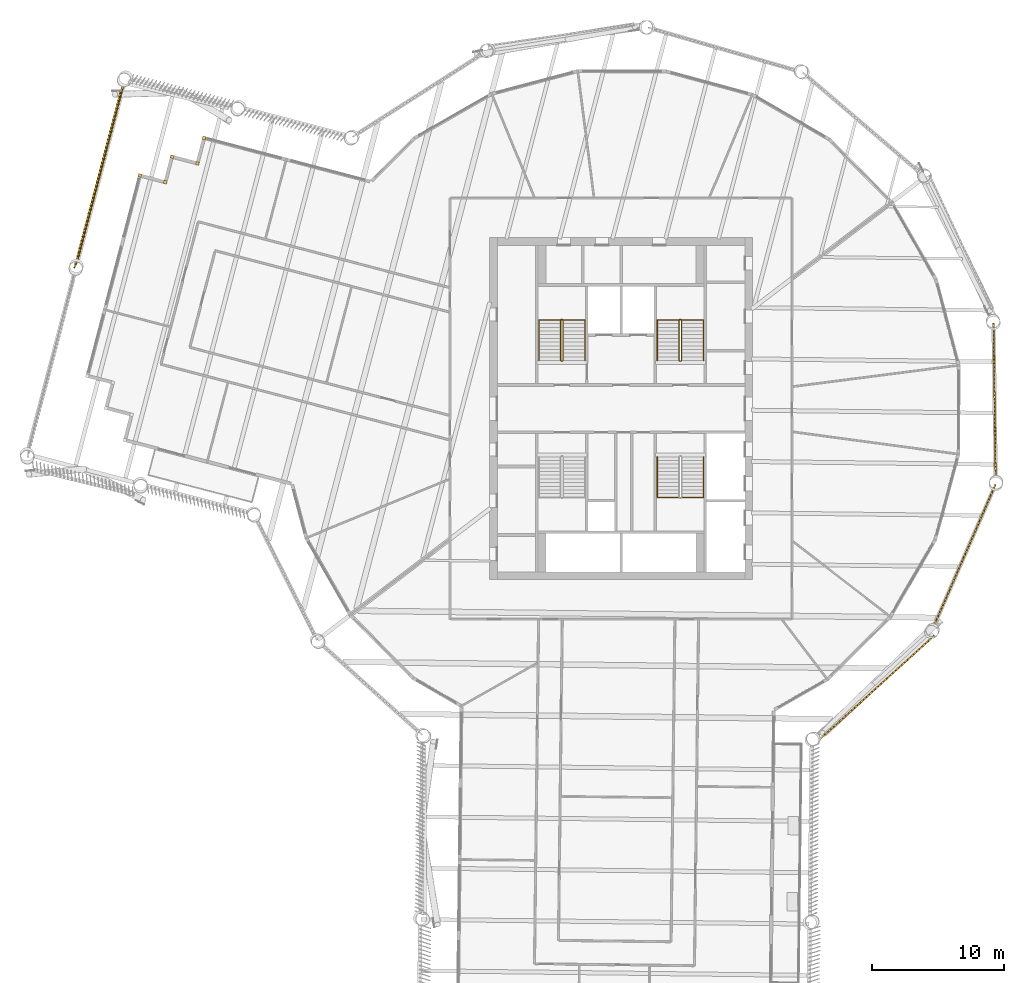
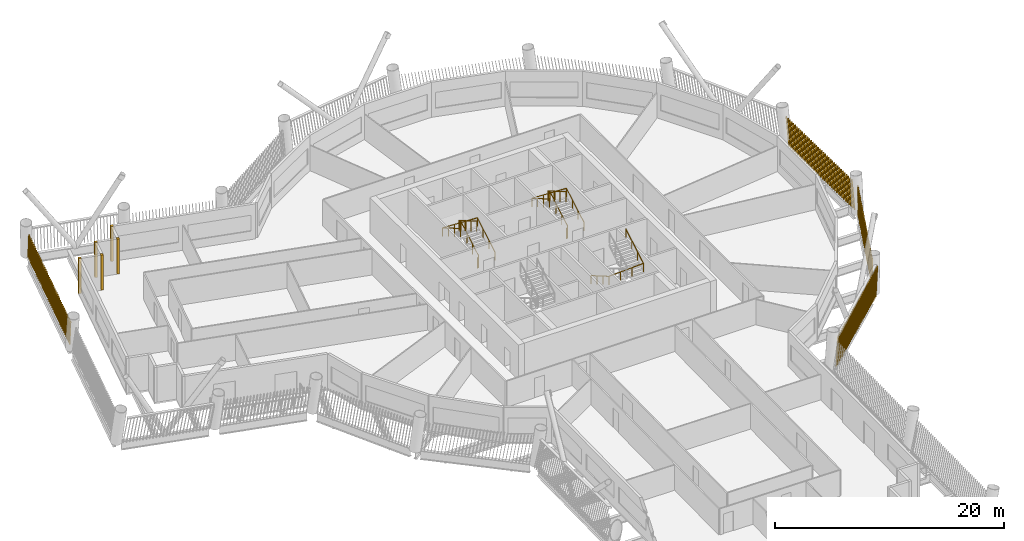
# One storey, part 19 of 21: 9 shading devices, 5 railings.
"""IFC4 building model written with IfcOpenShell, lengths in metres."""

from ifc_helpers import new_model, si_unit, direction, frame, frame_2d, origin, origin_2d, place, context, subcontext, project, spatial, rectangle, circle, composite_profile, extrude, material, type_object, element, save


model = new_model("IFC4")

# Units and contexts
model_context = context("Model", 3, precision=1e-05, world=origin(), true_north=direction((0.0, 1.0)))
body_context = subcontext(model_context, "Body", "Model", "MODEL_VIEW")
ifc_project = project(units=[si_unit("LENGTHUNIT", "METRE"), si_unit("AREAUNIT", "SQUARE_METRE"), si_unit("VOLUMEUNIT", "CUBIC_METRE"), si_unit("PLANEANGLEUNIT", "RADIAN"), si_unit("MASSUNIT", "GRAM", prefix="KILO")], contexts=[model_context])

# Site, building, storey
site_placement = place(None, origin())
site = spatial("IfcSite", under=ifc_project, at=site_placement, CompositionType="ELEMENT")
building_placement = place(site_placement, origin())
building = spatial("IfcBuilding", under=site, at=building_placement, Name="Tarsis Ring Headquarters", CompositionType="ELEMENT")
storey_placement = place(building_placement, frame((0.0, 0.0, 223.800048828125)))
storey = spatial("IfcBuildingStorey", under=building, at=storey_placement, Name="L52", CompositionType="ELEMENT", Elevation=223.800048828125)

# Railings
ifc_material_1 = material(Name="Steel S355", Category="steel")
railing_type_1 = type_object("IfcRailingType", Name="Core stair guard 1100", PredefinedType="GUARDRAIL", material=ifc_material_1)
railing_1_placement = place(storey_placement, frame((-4.5400390625, 3.610107421875, 0.0)))
element("IfcRailing", 1, at=railing_1_placement, inside=storey, type_object=railing_type_1, Name="L52 ST1 stair guard 1", PredefinedType="GUARDRAIL", context=body_context, shape_type="SweptSolid", body=[
    extrude(circle(Radius=0.02392578125, at=origin_2d()), frame((0.0, 0.0, 1.076171875), z_axis=(1.0, 0.0, 0.0), x_axis=(0.0, 1.0, 0.0)), (0.0, 0.0, 1.0), 0.080078125),
    extrude(circle(Radius=0.02392578125, at=origin_2d()), frame((0.080078125, 0.0, 1.076171875), z_axis=(0.282693820306, 0.281314826061, 0.917031173188), x_axis=(-0.705375805398, 0.708833529934, 0.0)), (0.0, 0.0, 1.0), 0.177001953125),
    extrude(circle(Radius=0.02392578125, at=origin_2d()), frame((0.130126953125, 0.0498046875, 1.23828125), z_axis=(0.0, 0.864890721111, 0.501960198159), x_axis=(-1.0, 0.0, 0.0)), (0.0, 0.0, 1.0), 3.561279296875),
    extrude(circle(Radius=0.02392578125, at=origin_2d()), frame((0.130126953125, 3.1298828125, 3.02587890625), z_axis=(-0.707106781187, 0.707106781187, 0.0), x_axis=(-0.707106781187, -0.707106781187, 0.0)), (0.0, 0.0, 1.0), 0.07080078125),
    extrude(circle(Radius=0.02392578125, at=origin_2d()), frame((0.080078125, 3.179931640625, 3.02587890625), z_axis=(-1.0, 0.0, 0.0), x_axis=(0.0, -1.0, 0.0)), (0.0, 0.0, 1.0), 0.080078125),
    extrude(circle(Radius=0.02392578125, at=origin_2d()), frame((0.0, 3.179931640625, 3.02587890625), z_axis=(-0.282227285176, -0.282227285176, 0.916894497205), x_axis=(0.707106781187, -0.707106781187, 0.0)), (0.0, 0.0, 1.0), 0.17724609375),
    extrude(circle(Radius=0.02392578125, at=origin_2d()), frame((-0.050048828125, 3.1298828125, 3.1884765625), z_axis=(0.0, -0.864920483161, 0.501908913857), x_axis=(1.0, 0.0, 0.0)), (0.0, 0.0, 1.0), 3.56103515625),
    extrude(circle(Radius=0.02099609375, at=origin_2d()), origin(), (0.0, 0.0, 1.0), 1.052001953125),
    extrude(circle(Radius=0.02099609375, at=origin_2d()), frame((0.080078125, 0.0, 0.0)), (0.0, 0.0, 1.0), 1.052001953125),
    extrude(circle(Radius=0.02099609375, at=origin_2d()), frame((0.130126953125, 0.0498046875, 0.162353515625)), (0.0, 0.0, 1.0), 1.052001953125),
    extrude(circle(Radius=0.02099609375, at=origin_2d()), frame((0.130126953125, 1.076416015625, 0.75830078125)), (0.0, 0.0, 1.0), 1.052001953125),
    extrude(circle(Radius=0.02099609375, at=origin_2d()), frame((0.130126953125, 2.103271484375, 1.35400390625)), (0.0, 0.0, 1.0), 1.052001953125),
    extrude(circle(Radius=0.02099609375, at=origin_2d()), frame((0.130126953125, 3.1298828125, 1.949951171875)), (0.0, 0.0, 1.0), 1.052001953125),
    extrude(circle(Radius=0.02099609375, at=origin_2d()), frame((0.080078125, 3.179931640625, 1.949951171875)), (0.0, 0.0, 1.0), 1.052001953125),
    extrude(circle(Radius=0.02099609375, at=origin_2d()), frame((0.0, 3.179931640625, 1.949951171875)), (0.0, 0.0, 1.0), 1.052001953125),
    extrude(circle(Radius=0.02099609375, at=origin_2d()), frame((-0.050048828125, 3.1298828125, 2.112548828125)), (0.0, 0.0, 1.0), 1.052001953125),
    extrude(circle(Radius=0.02099609375, at=origin_2d()), frame((-0.050048828125, 2.103271484375, 2.708251953125)), (0.0, 0.0, 1.0), 1.052001953125),
    extrude(circle(Radius=0.02099609375, at=origin_2d()), frame((-0.050048828125, 1.076416015625, 3.30419921875)), (0.0, 0.0, 1.0), 1.052001953125),
    extrude(circle(Radius=0.02099609375, at=origin_2d()), frame((-0.050048828125, 0.0498046875, 3.89990234375)), (0.0, 0.0, 1.0), 1.052001953125),
])
railing_2_placement = place(storey_placement, frame((4.4599609375, 3.610107421875, 0.0)))
element("IfcRailing", 2, at=railing_2_placement, inside=storey, type_object=railing_type_1, Name="L52 ST2 stair guard 1", PredefinedType="GUARDRAIL", context=body_context, shape_type="SweptSolid", body=[
    extrude(circle(Radius=0.02392578125, at=origin_2d()), frame((0.0, 0.0, 1.076171875), z_axis=(1.0, 0.0, 0.0), x_axis=(0.0, 1.0, 0.0)), (0.0, 0.0, 1.0), 0.080078125),
    extrude(circle(Radius=0.02392578125, at=origin_2d()), frame((0.080078125, 0.0, 1.076171875), z_axis=(0.282693820306, 0.281314826061, 0.917031173188), x_axis=(-0.705375805398, 0.708833529934, 0.0)), (0.0, 0.0, 1.0), 0.177001953125),
    extrude(circle(Radius=0.02392578125, at=origin_2d()), frame((0.130126953125, 0.0498046875, 1.23828125), z_axis=(0.0, 0.864890721111, 0.501960198159), x_axis=(-1.0, 0.0, 0.0)), (0.0, 0.0, 1.0), 3.561279296875),
    extrude(circle(Radius=0.02392578125, at=origin_2d()), frame((0.130126953125, 3.1298828125, 3.02587890625), z_axis=(-0.707106781187, 0.707106781187, 0.0), x_axis=(-0.707106781187, -0.707106781187, 0.0)), (0.0, 0.0, 1.0), 0.07080078125),
    extrude(circle(Radius=0.02392578125, at=origin_2d()), frame((0.080078125, 3.179931640625, 3.02587890625), z_axis=(-1.0, 0.0, 0.0), x_axis=(0.0, -1.0, 0.0)), (0.0, 0.0, 1.0), 0.080078125),
    extrude(circle(Radius=0.02392578125, at=origin_2d()), frame((0.0, 3.179931640625, 3.02587890625), z_axis=(-0.282227285176, -0.282227285176, 0.916894497205), x_axis=(0.707106781187, -0.707106781187, 0.0)), (0.0, 0.0, 1.0), 0.17724609375),
    extrude(circle(Radius=0.02392578125, at=origin_2d()), frame((-0.050048828125, 3.1298828125, 3.1884765625), z_axis=(0.0, -0.864920483161, 0.501908913857), x_axis=(1.0, 0.0, 0.0)), (0.0, 0.0, 1.0), 3.56103515625),
    extrude(circle(Radius=0.02099609375, at=origin_2d()), origin(), (0.0, 0.0, 1.0), 1.052001953125),
    extrude(circle(Radius=0.02099609375, at=origin_2d()), frame((0.080078125, 0.0, 0.0)), (0.0, 0.0, 1.0), 1.052001953125),
    extrude(circle(Radius=0.02099609375, at=origin_2d()), frame((0.130126953125, 0.0498046875, 0.162353515625)), (0.0, 0.0, 1.0), 1.052001953125),
    extrude(circle(Radius=0.02099609375, at=origin_2d()), frame((0.130126953125, 1.076416015625, 0.75830078125)), (0.0, 0.0, 1.0), 1.052001953125),
    extrude(circle(Radius=0.02099609375, at=origin_2d()), frame((0.130126953125, 2.103271484375, 1.35400390625)), (0.0, 0.0, 1.0), 1.052001953125),
    extrude(circle(Radius=0.02099609375, at=origin_2d()), frame((0.130126953125, 3.1298828125, 1.949951171875)), (0.0, 0.0, 1.0), 1.052001953125),
    extrude(circle(Radius=0.02099609375, at=origin_2d()), frame((0.080078125, 3.179931640625, 1.949951171875)), (0.0, 0.0, 1.0), 1.052001953125),
    extrude(circle(Radius=0.02099609375, at=origin_2d()), frame((0.0, 3.179931640625, 1.949951171875)), (0.0, 0.0, 1.0), 1.052001953125),
    extrude(circle(Radius=0.02099609375, at=origin_2d()), frame((-0.050048828125, 3.1298828125, 2.112548828125)), (0.0, 0.0, 1.0), 1.052001953125),
    extrude(circle(Radius=0.02099609375, at=origin_2d()), frame((-0.050048828125, 2.103271484375, 2.708251953125)), (0.0, 0.0, 1.0), 1.052001953125),
    extrude(circle(Radius=0.02099609375, at=origin_2d()), frame((-0.050048828125, 1.076416015625, 3.30419921875)), (0.0, 0.0, 1.0), 1.052001953125),
    extrude(circle(Radius=0.02099609375, at=origin_2d()), frame((-0.050048828125, 0.0498046875, 3.89990234375)), (0.0, 0.0, 1.0), 1.052001953125),
])
railing_type_2 = type_object("IfcRailingType", Name="Core stair handrail 900", PredefinedType="HANDRAIL", material=ifc_material_1)
railing_3_placement = place(storey_placement, frame((-2.75, 3.659912109375, 0.162353515625)))
element("IfcRailing", 3, at=railing_3_placement, inside=storey, type_object=railing_type_2, Name="L52 ST1 stair handrail 1", PredefinedType="HANDRAIL", context=body_context, shape_type="SweptSolid", body=[
    extrude(circle(Radius=0.02392578125, at=origin_2d()), frame((0.0, 0.0, 0.8759765625), z_axis=(0.0, 0.864890721111, 0.501960198159), x_axis=(-1.0, 0.0, 0.0)), (0.0, 0.0, 1.0), 3.561279296875),
    extrude(circle(Radius=0.02392578125, at=origin_2d()), frame((0.0, 3.080078125, 2.66357421875), z_axis=(-0.998922641604, 0.0, 0.046406422943), x_axis=(0.0, -1.0, 0.0)), (0.0, 0.0, 1.0), 3.503662109375),
    extrude(circle(Radius=0.02392578125, at=origin_2d()), frame((-3.5, 3.080078125, 2.826171875), z_axis=(0.0, -0.864920483161, 0.501908913857), x_axis=(1.0, 0.0, 0.0)), (0.0, 0.0, 1.0), 3.56103515625),
    extrude(circle(Radius=0.02099609375, at=origin_2d()), origin(), (0.0, 0.0, 1.0), 0.851806640625),
    extrude(circle(Radius=0.02099609375, at=origin_2d()), frame((0.0, 1.026611328125, 0.595947265625)), (0.0, 0.0, 1.0), 0.851806640625),
    extrude(circle(Radius=0.02099609375, at=origin_2d()), frame((0.0, 2.053466796875, 1.191650390625)), (0.0, 0.0, 1.0), 0.851806640625),
    extrude(circle(Radius=0.02099609375, at=origin_2d()), frame((0.0, 3.080078125, 1.78759765625)), (0.0, 0.0, 1.0), 0.851806640625),
    extrude(circle(Radius=0.02099609375, at=origin_2d()), frame((-1.166748046875, 3.080078125, 1.841796875)), (0.0, 0.0, 1.0), 0.851806640625),
    extrude(circle(Radius=0.02099609375, at=origin_2d()), frame((-2.333251953125, 3.080078125, 1.89599609375)), (0.0, 0.0, 1.0), 0.851806640625),
    extrude(circle(Radius=0.02099609375, at=origin_2d()), frame((-3.5, 3.080078125, 1.9501953125)), (0.0, 0.0, 1.0), 0.851806640625),
    extrude(circle(Radius=0.02099609375, at=origin_2d()), frame((-3.5, 2.053466796875, 2.5458984375)), (0.0, 0.0, 1.0), 0.851806640625),
    extrude(circle(Radius=0.02099609375, at=origin_2d()), frame((-3.5, 1.026611328125, 3.141845703125)), (0.0, 0.0, 1.0), 0.851806640625),
    extrude(circle(Radius=0.02099609375, at=origin_2d()), frame((-3.5, 0.0, 3.737548828125)), (0.0, 0.0, 1.0), 0.851806640625),
])
railing_4_placement = place(storey_placement, frame((6.25, 3.659912109375, 0.162353515625)))
element("IfcRailing", 4, at=railing_4_placement, inside=storey, type_object=railing_type_2, Name="L52 ST2 stair handrail 1", PredefinedType="HANDRAIL", context=body_context, shape_type="SweptSolid", body=[
    extrude(circle(Radius=0.02392578125, at=origin_2d()), frame((0.0, 0.0, 0.8759765625), z_axis=(0.0, 0.864890721111, 0.501960198159), x_axis=(-1.0, 0.0, 0.0)), (0.0, 0.0, 1.0), 3.561279296875),
    extrude(circle(Radius=0.02392578125, at=origin_2d()), frame((0.0, 3.080078125, 2.66357421875), z_axis=(-0.998922641604, 0.0, 0.046406422943), x_axis=(0.0, -1.0, 0.0)), (0.0, 0.0, 1.0), 3.503662109375),
    extrude(circle(Radius=0.02392578125, at=origin_2d()), frame((-3.5, 3.080078125, 2.826171875), z_axis=(0.0, -0.864920483161, 0.501908913857), x_axis=(1.0, 0.0, 0.0)), (0.0, 0.0, 1.0), 3.56103515625),
    extrude(circle(Radius=0.02099609375, at=origin_2d()), origin(), (0.0, 0.0, 1.0), 0.851806640625),
    extrude(circle(Radius=0.02099609375, at=origin_2d()), frame((0.0, 1.026611328125, 0.595947265625)), (0.0, 0.0, 1.0), 0.851806640625),
    extrude(circle(Radius=0.02099609375, at=origin_2d()), frame((0.0, 2.053466796875, 1.191650390625)), (0.0, 0.0, 1.0), 0.851806640625),
    extrude(circle(Radius=0.02099609375, at=origin_2d()), frame((0.0, 3.080078125, 1.78759765625)), (0.0, 0.0, 1.0), 0.851806640625),
    extrude(circle(Radius=0.02099609375, at=origin_2d()), frame((-1.166748046875, 3.080078125, 1.841796875)), (0.0, 0.0, 1.0), 0.851806640625),
    extrude(circle(Radius=0.02099609375, at=origin_2d()), frame((-2.333251953125, 3.080078125, 1.89599609375)), (0.0, 0.0, 1.0), 0.851806640625),
    extrude(circle(Radius=0.02099609375, at=origin_2d()), frame((-3.5, 3.080078125, 1.9501953125)), (0.0, 0.0, 1.0), 0.851806640625),
    extrude(circle(Radius=0.02099609375, at=origin_2d()), frame((-3.5, 2.053466796875, 2.5458984375)), (0.0, 0.0, 1.0), 0.851806640625),
    extrude(circle(Radius=0.02099609375, at=origin_2d()), frame((-3.5, 1.026611328125, 3.141845703125)), (0.0, 0.0, 1.0), 0.851806640625),
    extrude(circle(Radius=0.02099609375, at=origin_2d()), frame((-3.5, 0.0, 3.737548828125)), (0.0, 0.0, 1.0), 0.851806640625),
])
railing_5_placement = place(storey_placement, frame((2.75, -3.659912109375, 0.162353515625)))
element("IfcRailing", 5, at=railing_5_placement, inside=storey, type_object=railing_type_2, Name="L52 ST4 stair handrail 1", PredefinedType="HANDRAIL", context=body_context, shape_type="SweptSolid", body=[
    extrude(circle(Radius=0.02392578125, at=origin_2d()), frame((0.0, 0.0, 0.8759765625), z_axis=(0.0, -0.864890721111, 0.501960198159), x_axis=(1.0, 0.0, 0.0)), (0.0, 0.0, 1.0), 3.561279296875),
    extrude(circle(Radius=0.02392578125, at=origin_2d()), frame((0.0, -3.080078125, 2.66357421875), z_axis=(0.998922641604, 0.0, 0.046406422943), x_axis=(0.0, 1.0, 0.0)), (0.0, 0.0, 1.0), 3.503662109375),
    extrude(circle(Radius=0.02392578125, at=origin_2d()), frame((3.5, -3.080078125, 2.826171875), z_axis=(0.0, 0.864920483161, 0.501908913857), x_axis=(-1.0, 0.0, 0.0)), (0.0, 0.0, 1.0), 3.56103515625),
    extrude(circle(Radius=0.02099609375, at=origin_2d()), origin(), (0.0, 0.0, 1.0), 0.851806640625),
    extrude(circle(Radius=0.02099609375, at=origin_2d()), frame((0.0, -1.026611328125, 0.595947265625)), (0.0, 0.0, 1.0), 0.851806640625),
    extrude(circle(Radius=0.02099609375, at=origin_2d()), frame((0.0, -2.053466796875, 1.191650390625)), (0.0, 0.0, 1.0), 0.851806640625),
    extrude(circle(Radius=0.02099609375, at=origin_2d()), frame((0.0, -3.080078125, 1.78759765625)), (0.0, 0.0, 1.0), 0.851806640625),
    extrude(circle(Radius=0.02099609375, at=origin_2d()), frame((1.166748046875, -3.080078125, 1.841796875)), (0.0, 0.0, 1.0), 0.851806640625),
    extrude(circle(Radius=0.02099609375, at=origin_2d()), frame((2.333251953125, -3.080078125, 1.89599609375)), (0.0, 0.0, 1.0), 0.851806640625),
    extrude(circle(Radius=0.02099609375, at=origin_2d()), frame((3.5, -3.080078125, 1.9501953125)), (0.0, 0.0, 1.0), 0.851806640625),
    extrude(circle(Radius=0.02099609375, at=origin_2d()), frame((3.5, -2.053466796875, 2.5458984375)), (0.0, 0.0, 1.0), 0.851806640625),
    extrude(circle(Radius=0.02099609375, at=origin_2d()), frame((3.5, -1.026611328125, 3.141845703125)), (0.0, 0.0, 1.0), 0.851806640625),
    extrude(circle(Radius=0.02099609375, at=origin_2d()), frame((3.5, 0.0, 3.737548828125)), (0.0, 0.0, 1.0), 0.851806640625),
])

# Shading devices
ifc_material_2 = material(Name="Terracotta baguette", Category="masonry")
shading_device_type_1 = type_object("IfcShadingDeviceType", Name="Terracotta baguette screen", PredefinedType="USERDEFINED", material=ifc_material_2)
shading_device_1_placement = place(storey_placement, frame((15.124755859375, -25.1123046875, 0.0), z_axis=(0.0, 0.0, 1.0), x_axis=(0.74172544764, 0.670710797613, 0.0)))
element("IfcShadingDevice", 6, at=shading_device_1_placement, inside=storey, type_object=shading_device_type_1, Name="Baguette screen L52-07", ObjectType="Terracotta baguette screen", PredefinedType="USERDEFINED", context=body_context, shape_type="SweptSolid", body=[
    extrude(composite_profile([rectangle(XDim=0.06005859375, YDim=0.1201171875, at=frame_2d((0.030029296875, 0.0))), rectangle(XDim=0.06005859375, YDim=0.1201171875, at=frame_2d((0.33251953125, 0.0))), rectangle(XDim=0.06005859375, YDim=0.1201171875, at=frame_2d((0.634765625, 0.0))), rectangle(XDim=0.06005859375, YDim=0.1201171875, at=frame_2d((0.937255859375, 0.0))), rectangle(XDim=0.06005859375, YDim=0.1201171875, at=frame_2d((1.239501953125, 0.0))), rectangle(XDim=0.06005859375, YDim=0.1201171875, at=frame_2d((1.5419921875, 0.0))), rectangle(XDim=0.06005859375, YDim=0.1201171875, at=frame_2d((1.844482421875, 0.0))), rectangle(XDim=0.06005859375, YDim=0.1201171875, at=frame_2d((2.146728515625, 0.0))), rectangle(XDim=0.06005859375, YDim=0.1201171875, at=frame_2d((2.44921875, 0.0))), rectangle(XDim=0.06005859375, YDim=0.1201171875, at=frame_2d((2.751708984375, 0.0))), rectangle(XDim=0.06005859375, YDim=0.1201171875, at=frame_2d((3.053955078125, 0.0))), rectangle(XDim=0.06005859375, YDim=0.1201171875, at=frame_2d((3.3564453125, 0.0))), rectangle(XDim=0.06005859375, YDim=0.1201171875, at=frame_2d((3.65869140625, 0.0))), rectangle(XDim=0.06005859375, YDim=0.1201171875, at=frame_2d((3.961181640625, 0.0))), rectangle(XDim=0.06005859375, YDim=0.1201171875, at=frame_2d((4.263671875, 0.0))), rectangle(XDim=0.06005859375, YDim=0.1201171875, at=frame_2d((4.56591796875, 0.0))), rectangle(XDim=0.06005859375, YDim=0.1201171875, at=frame_2d((4.868408203125, 0.0))), rectangle(XDim=0.06005859375, YDim=0.1201171875, at=frame_2d((5.1708984375, 0.0))), rectangle(XDim=0.06005859375, YDim=0.1201171875, at=frame_2d((5.47314453125, 0.0))), rectangle(XDim=0.06005859375, YDim=0.1201171875, at=frame_2d((5.775634765625, 0.0))), rectangle(XDim=0.06005859375, YDim=0.1201171875, at=frame_2d((6.077880859375, 0.0))), rectangle(XDim=0.06005859375, YDim=0.1201171875, at=frame_2d((6.38037109375, 0.0))), rectangle(XDim=0.06005859375, YDim=0.1201171875, at=frame_2d((6.682861328125, 0.0))), rectangle(XDim=0.06005859375, YDim=0.1201171875, at=frame_2d((6.985107421875, 0.0))), rectangle(XDim=0.06005859375, YDim=0.1201171875, at=frame_2d((7.28759765625, 0.0))), rectangle(XDim=0.06005859375, YDim=0.1201171875, at=frame_2d((7.590087890625, 0.0))), rectangle(XDim=0.06005859375, YDim=0.1201171875, at=frame_2d((7.892333984375, 0.0))), rectangle(XDim=0.06005859375, YDim=0.1201171875, at=frame_2d((8.19482421875, 0.0))), rectangle(XDim=0.06005859375, YDim=0.1201171875, at=frame_2d((8.4970703125, 0.0))), rectangle(XDim=0.06005859375, YDim=0.1201171875, at=frame_2d((8.799560546875, 0.0))), rectangle(XDim=0.06005859375, YDim=0.1201171875, at=frame_2d((9.10205078125, 0.0))), rectangle(XDim=0.06005859375, YDim=0.1201171875, at=frame_2d((9.404296875, 0.0))), rectangle(XDim=0.06005859375, YDim=0.1201171875, at=frame_2d((9.706787109375, 0.0))), rectangle(XDim=0.06005859375, YDim=0.1201171875, at=frame_2d((10.00927734375, 0.0))), rectangle(XDim=0.06005859375, YDim=0.1201171875, at=frame_2d((10.3115234375, 0.0))), rectangle(XDim=0.06005859375, YDim=0.1201171875, at=frame_2d((10.614013671875, 0.0))), rectangle(XDim=0.06005859375, YDim=0.1201171875, at=frame_2d((10.916259765625, 0.0))), rectangle(XDim=0.06005859375, YDim=0.1201171875, at=frame_2d((11.21875, 0.0)))]), origin(), (0.161265308393, 0.001349691928, 0.986910167462), 2.989013671875),
])
shading_device_2_placement = place(storey_placement, frame((23.787353515625, -16.49560546875, 0.0), z_axis=(0.0, 0.0, 1.0), x_axis=(0.399327183939, 0.916809549647, 0.0)))
element("IfcShadingDevice", 7, at=shading_device_2_placement, inside=storey, type_object=shading_device_type_1, Name="Baguette screen L52-08", ObjectType="Terracotta baguette screen", PredefinedType="USERDEFINED", context=body_context, shape_type="SweptSolid", body=[
    extrude(composite_profile([rectangle(XDim=0.06005859375, YDim=0.1201171875, at=frame_2d((0.030029296875, 0.0))), rectangle(XDim=0.06005859375, YDim=0.1201171875, at=frame_2d((0.33251953125, 0.0))), rectangle(XDim=0.06005859375, YDim=0.1201171875, at=frame_2d((0.634765625, 0.0))), rectangle(XDim=0.06005859375, YDim=0.1201171875, at=frame_2d((0.937255859375, 0.0))), rectangle(XDim=0.06005859375, YDim=0.1201171875, at=frame_2d((1.239501953125, 0.0))), rectangle(XDim=0.06005859375, YDim=0.1201171875, at=frame_2d((1.5419921875, 0.0))), rectangle(XDim=0.06005859375, YDim=0.1201171875, at=frame_2d((1.844482421875, 0.0))), rectangle(XDim=0.06005859375, YDim=0.1201171875, at=frame_2d((2.146728515625, 0.0))), rectangle(XDim=0.06005859375, YDim=0.1201171875, at=frame_2d((2.44921875, 0.0))), rectangle(XDim=0.06005859375, YDim=0.1201171875, at=frame_2d((2.751708984375, 0.0))), rectangle(XDim=0.06005859375, YDim=0.1201171875, at=frame_2d((3.053955078125, 0.0))), rectangle(XDim=0.06005859375, YDim=0.1201171875, at=frame_2d((3.3564453125, 0.0))), rectangle(XDim=0.06005859375, YDim=0.1201171875, at=frame_2d((3.65869140625, 0.0))), rectangle(XDim=0.06005859375, YDim=0.1201171875, at=frame_2d((3.961181640625, 0.0))), rectangle(XDim=0.06005859375, YDim=0.1201171875, at=frame_2d((4.263671875, 0.0))), rectangle(XDim=0.06005859375, YDim=0.1201171875, at=frame_2d((4.56591796875, 0.0))), rectangle(XDim=0.06005859375, YDim=0.1201171875, at=frame_2d((4.868408203125, 0.0))), rectangle(XDim=0.06005859375, YDim=0.1201171875, at=frame_2d((5.1708984375, 0.0))), rectangle(XDim=0.06005859375, YDim=0.1201171875, at=frame_2d((5.47314453125, 0.0))), rectangle(XDim=0.06005859375, YDim=0.1201171875, at=frame_2d((5.775634765625, 0.0))), rectangle(XDim=0.06005859375, YDim=0.1201171875, at=frame_2d((6.077880859375, 0.0))), rectangle(XDim=0.06005859375, YDim=0.1201171875, at=frame_2d((6.38037109375, 0.0))), rectangle(XDim=0.06005859375, YDim=0.1201171875, at=frame_2d((6.682861328125, 0.0))), rectangle(XDim=0.06005859375, YDim=0.1201171875, at=frame_2d((6.985107421875, 0.0))), rectangle(XDim=0.06005859375, YDim=0.1201171875, at=frame_2d((7.28759765625, 0.0))), rectangle(XDim=0.06005859375, YDim=0.1201171875, at=frame_2d((7.590087890625, 0.0))), rectangle(XDim=0.06005859375, YDim=0.1201171875, at=frame_2d((7.892333984375, 0.0))), rectangle(XDim=0.06005859375, YDim=0.1201171875, at=frame_2d((8.19482421875, 0.0))), rectangle(XDim=0.06005859375, YDim=0.1201171875, at=frame_2d((8.4970703125, 0.0))), rectangle(XDim=0.06005859375, YDim=0.1201171875, at=frame_2d((8.799560546875, 0.0))), rectangle(XDim=0.06005859375, YDim=0.1201171875, at=frame_2d((9.10205078125, 0.0))), rectangle(XDim=0.06005859375, YDim=0.1201171875, at=frame_2d((9.404296875, 0.0))), rectangle(XDim=0.06005859375, YDim=0.1201171875, at=frame_2d((9.706787109375, 0.0))), rectangle(XDim=0.06005859375, YDim=0.1201171875, at=frame_2d((10.00927734375, 0.0))), rectangle(XDim=0.06005859375, YDim=0.1201171875, at=frame_2d((10.3115234375, 0.0))), rectangle(XDim=0.06005859375, YDim=0.1201171875, at=frame_2d((10.614013671875, 0.0))), rectangle(XDim=0.06005859375, YDim=0.1201171875, at=frame_2d((10.916259765625, 0.0))), rectangle(XDim=0.06005859375, YDim=0.1201171875, at=frame_2d((11.21875, 0.0)))]), origin(), (0.15921639351, 0.001333266286, 0.987242808249), 2.988037109375),
])
shading_device_3_placement = place(storey_placement, frame((28.471923828125, -5.224365234375, 0.0), z_axis=(0.0, 0.0, 1.0), x_axis=(-0.014063720809, 0.999891483636, 0.0)))
element("IfcShadingDevice", 8, at=shading_device_3_placement, inside=storey, type_object=shading_device_type_1, Name="Baguette screen L52-09", ObjectType="Terracotta baguette screen", PredefinedType="USERDEFINED", context=body_context, shape_type="SweptSolid", body=[
    extrude(composite_profile([rectangle(XDim=0.06005859375, YDim=0.1201171875, at=frame_2d((0.030029296875, 0.0))), rectangle(XDim=0.06005859375, YDim=0.1201171875, at=frame_2d((0.33251953125, 0.0))), rectangle(XDim=0.06005859375, YDim=0.1201171875, at=frame_2d((0.634765625, 0.0))), rectangle(XDim=0.06005859375, YDim=0.1201171875, at=frame_2d((0.937255859375, 0.0))), rectangle(XDim=0.06005859375, YDim=0.1201171875, at=frame_2d((1.239501953125, 0.0))), rectangle(XDim=0.06005859375, YDim=0.1201171875, at=frame_2d((1.5419921875, 0.0))), rectangle(XDim=0.06005859375, YDim=0.1201171875, at=frame_2d((1.844482421875, 0.0))), rectangle(XDim=0.06005859375, YDim=0.1201171875, at=frame_2d((2.146728515625, 0.0))), rectangle(XDim=0.06005859375, YDim=0.1201171875, at=frame_2d((2.44921875, 0.0))), rectangle(XDim=0.06005859375, YDim=0.1201171875, at=frame_2d((2.751708984375, 0.0))), rectangle(XDim=0.06005859375, YDim=0.1201171875, at=frame_2d((3.053955078125, 0.0))), rectangle(XDim=0.06005859375, YDim=0.1201171875, at=frame_2d((3.3564453125, 0.0))), rectangle(XDim=0.06005859375, YDim=0.1201171875, at=frame_2d((3.65869140625, 0.0))), rectangle(XDim=0.06005859375, YDim=0.1201171875, at=frame_2d((3.961181640625, 0.0))), rectangle(XDim=0.06005859375, YDim=0.1201171875, at=frame_2d((4.263671875, 0.0))), rectangle(XDim=0.06005859375, YDim=0.1201171875, at=frame_2d((4.56591796875, 0.0))), rectangle(XDim=0.06005859375, YDim=0.1201171875, at=frame_2d((4.868408203125, 0.0))), rectangle(XDim=0.06005859375, YDim=0.1201171875, at=frame_2d((5.1708984375, 0.0))), rectangle(XDim=0.06005859375, YDim=0.1201171875, at=frame_2d((5.47314453125, 0.0))), rectangle(XDim=0.06005859375, YDim=0.1201171875, at=frame_2d((5.775634765625, 0.0))), rectangle(XDim=0.06005859375, YDim=0.1201171875, at=frame_2d((6.077880859375, 0.0))), rectangle(XDim=0.06005859375, YDim=0.1201171875, at=frame_2d((6.38037109375, 0.0))), rectangle(XDim=0.06005859375, YDim=0.1201171875, at=frame_2d((6.682861328125, 0.0))), rectangle(XDim=0.06005859375, YDim=0.1201171875, at=frame_2d((6.985107421875, 0.0))), rectangle(XDim=0.06005859375, YDim=0.1201171875, at=frame_2d((7.28759765625, 0.0))), rectangle(XDim=0.06005859375, YDim=0.1201171875, at=frame_2d((7.590087890625, 0.0))), rectangle(XDim=0.06005859375, YDim=0.1201171875, at=frame_2d((7.892333984375, 0.0))), rectangle(XDim=0.06005859375, YDim=0.1201171875, at=frame_2d((8.19482421875, 0.0))), rectangle(XDim=0.06005859375, YDim=0.1201171875, at=frame_2d((8.4970703125, 0.0))), rectangle(XDim=0.06005859375, YDim=0.1201171875, at=frame_2d((8.799560546875, 0.0))), rectangle(XDim=0.06005859375, YDim=0.1201171875, at=frame_2d((9.10205078125, 0.0))), rectangle(XDim=0.06005859375, YDim=0.1201171875, at=frame_2d((9.404296875, 0.0))), rectangle(XDim=0.06005859375, YDim=0.1201171875, at=frame_2d((9.706787109375, 0.0))), rectangle(XDim=0.06005859375, YDim=0.1201171875, at=frame_2d((10.00927734375, 0.0))), rectangle(XDim=0.06005859375, YDim=0.1201171875, at=frame_2d((10.3115234375, 0.0))), rectangle(XDim=0.06005859375, YDim=0.1201171875, at=frame_2d((10.614013671875, 0.0))), rectangle(XDim=0.06005859375, YDim=0.1201171875, at=frame_2d((10.916259765625, 0.0))), rectangle(XDim=0.06005859375, YDim=0.1201171875, at=frame_2d((11.21875, 0.0)))]), origin(), (0.159215007803, 0.001334799616, 0.987243029654), 2.988037109375),
])
shading_device_4_placement = place(storey_placement, frame((-37.779052734375, 24.6796875, 0.0), z_axis=(0.0, 0.0, 1.0), x_axis=(-0.253409995577, -0.967359575409, 0.0)))
element("IfcShadingDevice", 9, at=shading_device_4_placement, inside=storey, type_object=shading_device_type_1, Name="Baguette screen L52-17", ObjectType="Terracotta baguette screen", PredefinedType="USERDEFINED", context=body_context, shape_type="SweptSolid", body=[
    extrude(composite_profile([rectangle(XDim=0.06005859375, YDim=0.1201171875, at=frame_2d((0.030029296875, 0.0))), rectangle(XDim=0.06005859375, YDim=0.1201171875, at=frame_2d((0.33544921875, 0.0))), rectangle(XDim=0.06005859375, YDim=0.1201171875, at=frame_2d((0.640625, 0.0))), rectangle(XDim=0.06005859375, YDim=0.1201171875, at=frame_2d((0.946044921875, 0.0))), rectangle(XDim=0.06005859375, YDim=0.1201171875, at=frame_2d((1.25146484375, 0.0))), rectangle(XDim=0.06005859375, YDim=0.1201171875, at=frame_2d((1.556640625, 0.0))), rectangle(XDim=0.06005859375, YDim=0.1201171875, at=frame_2d((1.862060546875, 0.0))), rectangle(XDim=0.06005859375, YDim=0.1201171875, at=frame_2d((2.16748046875, 0.0))), rectangle(XDim=0.06005859375, YDim=0.1201171875, at=frame_2d((2.47265625, 0.0))), rectangle(XDim=0.06005859375, YDim=0.1201171875, at=frame_2d((2.778076171875, 0.0))), rectangle(XDim=0.06005859375, YDim=0.1201171875, at=frame_2d((3.08349609375, 0.0))), rectangle(XDim=0.06005859375, YDim=0.1201171875, at=frame_2d((3.388671875, 0.0))), rectangle(XDim=0.06005859375, YDim=0.1201171875, at=frame_2d((3.694091796875, 0.0))), rectangle(XDim=0.06005859375, YDim=0.1201171875, at=frame_2d((3.99951171875, 0.0))), rectangle(XDim=0.06005859375, YDim=0.1201171875, at=frame_2d((4.3046875, 0.0))), rectangle(XDim=0.06005859375, YDim=0.1201171875, at=frame_2d((4.610107421875, 0.0))), rectangle(XDim=0.06005859375, YDim=0.1201171875, at=frame_2d((4.91552734375, 0.0))), rectangle(XDim=0.06005859375, YDim=0.1201171875, at=frame_2d((5.220703125, 0.0))), rectangle(XDim=0.06005859375, YDim=0.1201171875, at=frame_2d((5.526123046875, 0.0))), rectangle(XDim=0.06005859375, YDim=0.1201171875, at=frame_2d((5.83154296875, 0.0))), rectangle(XDim=0.06005859375, YDim=0.1201171875, at=frame_2d((6.13671875, 0.0))), rectangle(XDim=0.06005859375, YDim=0.1201171875, at=frame_2d((6.442138671875, 0.0))), rectangle(XDim=0.06005859375, YDim=0.1201171875, at=frame_2d((6.74755859375, 0.0))), rectangle(XDim=0.06005859375, YDim=0.1201171875, at=frame_2d((7.052734375, 0.0))), rectangle(XDim=0.06005859375, YDim=0.1201171875, at=frame_2d((7.358154296875, 0.0))), rectangle(XDim=0.06005859375, YDim=0.1201171875, at=frame_2d((7.66357421875, 0.0))), rectangle(XDim=0.06005859375, YDim=0.1201171875, at=frame_2d((7.96875, 0.0))), rectangle(XDim=0.06005859375, YDim=0.1201171875, at=frame_2d((8.274169921875, 0.0))), rectangle(XDim=0.06005859375, YDim=0.1201171875, at=frame_2d((8.57958984375, 0.0))), rectangle(XDim=0.06005859375, YDim=0.1201171875, at=frame_2d((8.884765625, 0.0))), rectangle(XDim=0.06005859375, YDim=0.1201171875, at=frame_2d((9.190185546875, 0.0))), rectangle(XDim=0.06005859375, YDim=0.1201171875, at=frame_2d((9.49560546875, 0.0))), rectangle(XDim=0.06005859375, YDim=0.1201171875, at=frame_2d((9.80078125, 0.0))), rectangle(XDim=0.06005859375, YDim=0.1201171875, at=frame_2d((10.106201171875, 0.0))), rectangle(XDim=0.06005859375, YDim=0.1201171875, at=frame_2d((10.41162109375, 0.0))), rectangle(XDim=0.06005859375, YDim=0.1201171875, at=frame_2d((10.716796875, 0.0))), rectangle(XDim=0.06005859375, YDim=0.1201171875, at=frame_2d((11.022216796875, 0.0))), rectangle(XDim=0.06005859375, YDim=0.1201171875, at=frame_2d((11.32763671875, 0.0))), rectangle(XDim=0.06005859375, YDim=0.1201171875, at=frame_2d((11.6328125, 0.0))), rectangle(XDim=0.06005859375, YDim=0.1201171875, at=frame_2d((11.938232421875, 0.0))), rectangle(XDim=0.06005859375, YDim=0.1201171875, at=frame_2d((12.24365234375, 0.0))), rectangle(XDim=0.06005859375, YDim=0.1201171875, at=frame_2d((12.548828125, 0.0))), rectangle(XDim=0.06005859375, YDim=0.1201171875, at=frame_2d((12.854248046875, 0.0))), rectangle(XDim=0.06005859375, YDim=0.1201171875, at=frame_2d((13.15966796875, 0.0))), rectangle(XDim=0.06005859375, YDim=0.1201171875, at=frame_2d((13.46484375, 0.0))), rectangle(XDim=0.06005859375, YDim=0.1201171875, at=frame_2d((13.770263671875, 0.0)))]), origin(), (0.236350174776, -0.038830836055, 0.970891734981), 3.038330078125),
])
shading_device_type_2 = type_object("IfcShadingDeviceType", Name="Terracotta corner baguette 250x250", PredefinedType="USERDEFINED", material=ifc_material_2)
for number, where, z_axis, x_axis, name in (
    (10, (-31.694580078125, 20.578857421875, 0.0), (0.0, 0.0, 1.0), (-0.967356272077, 0.253420288991, 0.0), "Corner baguette L52-32"),
    (11, (-32.201416015625, 18.64404296875, 0.0), (0.0, 0.0, 1.0), (-0.25342042406, -0.967356236693, 0.0), "Corner baguette L52-33"),
    (12, (-34.135986328125, 19.15087890625, 0.0), (0.0, 0.0, 1.0), (-0.967356356115, 0.253419968204, 0.0), "Corner baguette L52-34"),
    (13, (-34.642822265625, 17.21630859375, 0.0), (0.0, 0.0, 1.0), (-0.253420086389, -0.967356325154, 0.0), "Corner baguette L52-35"),
    (14, (-36.57763671875, 17.72314453125, 0.0), (0.0, 0.0, 1.0), (-0.967356236693, 0.25342042406, 0.0), "Corner baguette L52-36"),
):
    element("IfcShadingDevice", number, at=place(storey_placement, frame(where, z_axis=z_axis, x_axis=x_axis)), inside=storey, type_object=shading_device_type_2, Name=name, ObjectType="Terracotta corner baguette", PredefinedType="USERDEFINED", context=body_context, shape_type="SweptSolid", body=[
        extrude(rectangle(XDim=0.25, YDim=0.25, at=origin_2d()), origin(), (0.0, 0.0, 1.0), 3.739990234375),
    ])

save(model, "model.ifc")
